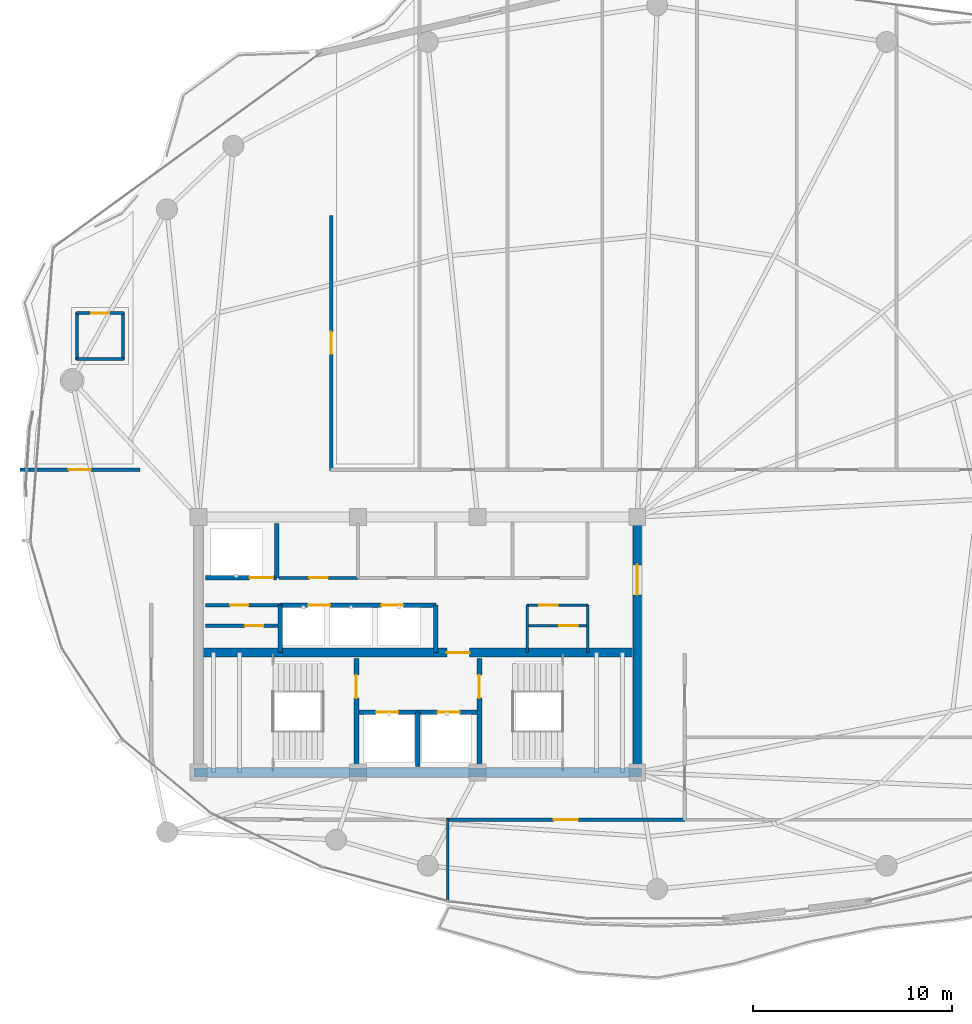
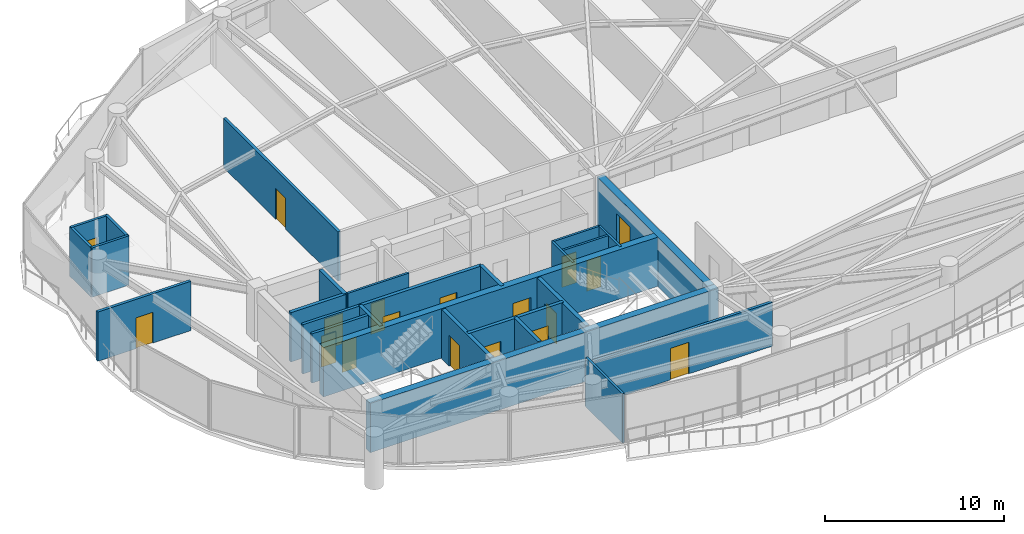
# One storey, part 25 of 30: 27 walls, 18 doors, 18 openings.
"""IFC4 building model written with IfcOpenShell, lengths in metres."""

from ifc_helpers import new_model, si_unit, direction, frame, frame_2d, origin, place, context, subcontext, project, spatial, rectangle, extrude, material, layer, layer_set, type_object, element, fill, save


model = new_model("IFC4")

# Units and contexts
model_context = context("Model", 3, precision=1e-05, world=origin(), true_north=direction((0.0, 1.0)))
body_context = subcontext(model_context, "Body", "Model", "MODEL_VIEW")
ifc_project = project(units=[si_unit("LENGTHUNIT", "METRE"), si_unit("AREAUNIT", "SQUARE_METRE"), si_unit("VOLUMEUNIT", "CUBIC_METRE"), si_unit("PLANEANGLEUNIT", "RADIAN"), si_unit("MASSUNIT", "GRAM", prefix="KILO")], contexts=[model_context])

# Site, building, storey
site_placement = place(None, origin())
site = spatial("IfcSite", under=ifc_project, at=site_placement, CompositionType="ELEMENT")
building_placement = place(site_placement, origin())
building = spatial("IfcBuilding", under=site, at=building_placement, Name="Kazevale Care Tower and Concert Hall", CompositionType="ELEMENT")
storey_placement = place(building_placement, frame((0.0, 0.0, 242.39990234375)))
storey = spatial("IfcBuildingStorey", under=building, at=storey_placement, Name="L64", CompositionType="ELEMENT", Elevation=242.39990234375)

# Wall, opening, door
ifc_material_1 = material(Name="Acoustic Gypsum on Steel Stud", Category="steel")
ifc_layer_1 = layer(ifc_material_1, 0.139892578125)
ifc_layer_set_1 = layer_set([ifc_layer_1], Name="Acoustic Gypsum on Steel Stud")
wall_type_1 = type_object("IfcWallType", Name="Acoustic Care & Suite Partition 140", PredefinedType="PARTITIONING", material=ifc_layer_set_1)
wall_1_placement = place(storey_placement, frame((26.050048828125, 33.35009765625, 0.0), z_axis=(0.0, 0.0, 1.0), x_axis=(1.0, 0.0, 0.0)))
wall_1 = element("IfcWall", 1, at=wall_1_placement, inside=storey, type_object=wall_type_1, Name="wall:L64:c_rpl1_s", PredefinedType="PARTITIONING", context=body_context, shape_type="SweptSolid", body=[
    extrude(rectangle(XDim=3.949951171875, YDim=0.139892578125, at=frame_2d((1.97509765625, 0.0))), origin(), (0.0, 0.0, 1.0), 3.360107421875),
])
opening_1_placement = place(wall_1_placement, frame((1.514892578125, 0.0, 0.0)))
opening_1 = element("IfcOpeningElement", 2, at=opening_1_placement, cuts=wall_1, Name="Opening ID-900", PredefinedType="OPENING", context=body_context, shape_type="SweptSolid", body=[
    extrude(rectangle(XDim=0.919921875, YDim=2.10009765625, at=frame_2d((0.4599609375, 1.050048828125))), frame((0.0, 0.079833984375, 0.0), z_axis=(0.0, -1.0, 0.0), x_axis=(1.0, 0.0, 0.0)), (0.0, 0.0, 1.0), 0.159912109375),
])
ifc_material_2 = material(Name="Oak Timber Fire Leaf", Category="wood")
door_type_1 = type_object("IfcDoorType", Name="Bathroom & Service Door 920x2100", OperationType="NOTDEFINED", PredefinedType="DOOR", material=ifc_material_2)
door_1_placement = place(opening_1_placement, origin())
door_1 = element("IfcDoor", 3, at=door_1_placement, inside=storey, type_object=door_type_1, Name="door:L64:d_rpl1", OperationType="SINGLE_SWING_LEFT", OverallHeight=2.10009765625, OverallWidth=0.919921875, PredefinedType="DOOR", context=body_context, shape_type="SweptSolid", body=[
    extrude(rectangle(XDim=0.919921875, YDim=2.10009765625, at=frame_2d((0.4599609375, 1.050048828125))), frame((0.0, 0.02490234375, 0.0), z_axis=(0.0, -1.0, 0.0), x_axis=(1.0, 0.0, 0.0)), (0.0, 0.0, 1.0), 0.050048828125),
])
fill(opening_1, door_1)

# Walls
for number, where, z_axis, x_axis, name in (
    (4, (38.47998046875, 29.6201171875, 0.0), (0.0, 0.0, 1.0), (0.0, 1.0, 0.0), "wall:L64:kc_ew"),
    (5, (41.52001953125, 29.6201171875, 0.0), (0.0, 0.0, 1.0), (0.0, 1.0, 0.0), "wall:L64:kc_ee"),
):
    element("IfcWall", number, at=place(storey_placement, frame(where, z_axis=z_axis, x_axis=x_axis)), inside=storey, type_object=wall_type_1, Name=name, PredefinedType="PARTITIONING", context=body_context, shape_type="SweptSolid", body=[
        extrude(rectangle(XDim=2.35986328125, YDim=0.139892578125, at=frame_2d((1.179931640625, 0.0))), origin(), (0.0, 0.0, 1.0), 3.360107421875),
    ])

# Wall, opening, door
wall_2_placement = place(storey_placement, frame((38.47998046875, 30.949951171875, 0.0), z_axis=(0.0, 0.0, 1.0), x_axis=(1.0, 0.0, 0.0)))
wall_2 = element("IfcWall", 6, at=wall_2_placement, inside=storey, type_object=wall_type_1, Name="wall:L64:kc_em", PredefinedType="PARTITIONING", context=body_context, shape_type="SweptSolid", body=[
    extrude(rectangle(XDim=3.0400390625, YDim=0.139892578125, at=frame_2d((1.52001953125, 0.0))), origin(), (0.0, 0.0, 1.0), 3.360107421875),
])
opening_2_placement = place(wall_2_placement, frame((1.616943359375, 0.0, 0.0)))
opening_2 = element("IfcOpeningElement", 7, at=opening_2_placement, cuts=wall_2, Name="Opening ID-900", PredefinedType="OPENING", context=body_context, shape_type="SweptSolid", body=[
    extrude(rectangle(XDim=0.919921875, YDim=2.10009765625, at=frame_2d((0.4599609375, 1.050048828125))), frame((0.0, 0.079833984375, 0.0), z_axis=(0.0, -1.0, 0.0), x_axis=(1.0, 0.0, 0.0)), (0.0, 0.0, 1.0), 0.159912109375),
])
door_2_placement = place(opening_2_placement, origin())
door_2 = element("IfcDoor", 8, at=door_2_placement, inside=storey, type_object=door_type_1, Name="door:L64:d_kceb", OperationType="SINGLE_SWING_RIGHT", OverallHeight=2.10009765625, OverallWidth=0.919921875, PredefinedType="DOOR", context=body_context, shape_type="SweptSolid", body=[
    extrude(rectangle(XDim=0.919921875, YDim=2.10009765625, at=frame_2d((0.4599609375, 1.050048828125))), frame((0.0, 0.02490234375, 0.0), z_axis=(0.0, -1.0, 0.0), x_axis=(1.0, 0.0, 0.0)), (0.0, 0.0, 1.0), 0.050048828125),
])
fill(opening_2, door_2)

wall_3_placement = place(storey_placement, frame((38.47998046875, 31.97998046875, 0.0), z_axis=(0.0, 0.0, 1.0), x_axis=(1.0, 0.0, 0.0)))
wall_3 = element("IfcWall", 9, at=wall_3_placement, inside=storey, type_object=wall_type_1, Name="wall:L64:kc_en", PredefinedType="PARTITIONING", context=body_context, shape_type="SweptSolid", body=[
    extrude(rectangle(XDim=3.0400390625, YDim=0.139892578125, at=frame_2d((1.52001953125, 0.0))), origin(), (0.0, 0.0, 1.0), 3.360107421875),
])
opening_3_placement = place(wall_3_placement, frame((0.614013671875, 0.0, 0.0)))
opening_3 = element("IfcOpeningElement", 10, at=opening_3_placement, cuts=wall_3, Name="Opening ID-900", PredefinedType="OPENING", context=body_context, shape_type="SweptSolid", body=[
    extrude(rectangle(XDim=0.919921875, YDim=2.10009765625, at=frame_2d((0.4599609375, 1.050048828125))), frame((0.0, 0.079833984375, 0.0), z_axis=(0.0, -1.0, 0.0), x_axis=(1.0, 0.0, 0.0)), (0.0, 0.0, 1.0), 0.159912109375),
])
door_3_placement = place(opening_3_placement, origin())
door_3 = element("IfcDoor", 11, at=door_3_placement, inside=storey, type_object=door_type_1, Name="door:L64:d_kcet", OperationType="SINGLE_SWING_LEFT", OverallHeight=2.10009765625, OverallWidth=0.919921875, PredefinedType="DOOR", context=body_context, shape_type="SweptSolid", body=[
    extrude(rectangle(XDim=0.919921875, YDim=2.10009765625, at=frame_2d((0.4599609375, 1.050048828125))), frame((0.0, 0.02490234375, 0.0), z_axis=(0.0, -1.0, 0.0), x_axis=(1.0, 0.0, 0.0)), (0.0, 0.0, 1.0), 0.050048828125),
])
fill(opening_3, door_3)

# Walls
wall_4_placement = place(storey_placement, frame((34.5, 21.2548828125, 0.0), z_axis=(0.0, 0.0, 1.0), x_axis=(0.0, -1.0, 0.0)))
element("IfcWall", 12, at=wall_4_placement, inside=storey, type_object=wall_type_1, Name="wall:L64:auto_024", PredefinedType="PARTITIONING", context=body_context, shape_type="SweptSolid", body=[
    extrude(rectangle(XDim=4.103515625, YDim=0.139892578125, at=frame_2d((2.0517578125, 0.0))), origin(), (0.0, 0.0, 1.0), 3.360107421875),
])
ifc_material_3 = material(Name="Concrete C50", Category="concrete")
ifc_layer_2 = layer(ifc_material_3, 0.449951171875)
ifc_layer_set_2 = layer_set([ifc_layer_2], Name="Concrete C50")
wall_type_2 = type_object("IfcWallType", Name="Core Shear Wall 450 C50", PredefinedType="SHEAR", material=ifc_layer_set_2)
wall_5_placement = place(storey_placement, frame((21.77490234375, 23.60009765625, 0.0), z_axis=(0.0, 0.0, 1.0), x_axis=(1.0, 0.0, 0.0)))
element("IfcWall", 13, at=wall_5_placement, inside=storey, type_object=wall_type_2, Name="wall:L64:core:S", PredefinedType="SHEAR", context=body_context, shape_type="SweptSolid", body=[
    extrude(rectangle(XDim=22.4501953125, YDim=0.449951171875, at=frame_2d((11.22509765625, 0.0))), origin(), (0.0, 0.0, 1.0), 3.360107421875),
])

# Wall, opening, door
wall_6_placement = place(storey_placement, frame((44.0, 23.824951171875, 0.0), z_axis=(0.0, 0.0, 1.0), x_axis=(0.0, 1.0, 0.0)))
wall_6 = element("IfcWall", 14, at=wall_6_placement, inside=storey, type_object=wall_type_2, Name="wall:L64:core:E", PredefinedType="SHEAR", context=body_context, shape_type="SweptSolid", body=[
    extrude(rectangle(XDim=12.35009765625, YDim=0.449951171875, at=frame_2d((6.175048828125, 0.0))), origin(), (0.0, 0.0, 1.0), 3.360107421875),
])
opening_4_placement = place(wall_6_placement, frame((8.675048828125, 0.0, 0.0)))
opening_4 = element("IfcOpeningElement", 15, at=opening_4_placement, cuts=wall_6, Name="Opening FD-60D", PredefinedType="OPENING", context=body_context, shape_type="SweptSolid", body=[
    extrude(rectangle(XDim=1.5, YDim=2.14990234375, at=frame_2d((0.75, 1.074951171875))), frame((0.0, 0.23486328125, 0.0), z_axis=(0.0, -1.0, 0.0), x_axis=(1.0, 0.0, 0.0)), (0.0, 0.0, 1.0), 0.469970703125),
])
door_type_2 = type_object("IfcDoorType", Name="Double Lobby & Auditorium Fire Door 1500x2150", OperationType="NOTDEFINED", PredefinedType="DOOR", material=ifc_material_2)
door_4_placement = place(opening_4_placement, origin())
door_4 = element("IfcDoor", 16, at=door_4_placement, inside=storey, type_object=door_type_2, Name="door:L64:core_east_out", OperationType="DOUBLE_DOOR_SINGLE_SWING", OverallHeight=2.14990234375, OverallWidth=1.5, PredefinedType="DOOR", context=body_context, shape_type="SweptSolid", body=[
    extrude(rectangle(XDim=1.5, YDim=2.14990234375, at=frame_2d((0.75, 1.074951171875))), frame((0.0, 0.02490234375, 0.0), z_axis=(0.0, -1.0, 0.0), x_axis=(1.0, 0.0, 0.0)), (0.0, 0.0, 1.0), 0.050048828125),
])
fill(opening_4, door_4)

wall_7_placement = place(storey_placement, frame((22.22509765625, 29.60009765625, 0.0), z_axis=(0.0, 0.0, 1.0), x_axis=(1.0, 0.0, 0.0)))
wall_7 = element("IfcWall", 17, at=wall_7_placement, inside=storey, type_object=wall_type_2, Name="wall:L64:core:M", PredefinedType="SHEAR", context=body_context, shape_type="SweptSolid", body=[
    extrude(rectangle(XDim=21.5498046875, YDim=0.449951171875, at=frame_2d((10.77490234375, 0.0))), origin(), (0.0, 0.0, 1.0), 3.360107421875),
])
opening_5_placement = place(wall_7_placement, frame((12.22509765625, 0.0, 0.0)))
opening_5 = element("IfcOpeningElement", 18, at=opening_5_placement, cuts=wall_7, Name="Opening FD-90", PredefinedType="OPENING", context=body_context, shape_type="SweptSolid", body=[
    extrude(rectangle(XDim=1.14990234375, YDim=2.10009765625, at=frame_2d((0.574951171875, 1.050048828125))), frame((0.0, 0.23486328125, 0.0), z_axis=(0.0, -1.0, 0.0), x_axis=(1.0, 0.0, 0.0)), (0.0, 0.0, 1.0), 0.469970703125),
])
ifc_material_4 = material(Name="Steel ASTM A572 Gr 50", Category="steel")
door_type_3 = type_object("IfcDoorType", Name="Pressurized Stair & Lobby Fire Door 1150x2100", OperationType="NOTDEFINED", PredefinedType="DOOR", material=ifc_material_4)
door_5_placement = place(opening_5_placement, origin())
door_5 = element("IfcDoor", 19, at=door_5_placement, inside=storey, type_object=door_type_3, Name="door:L64:ff_to_pax", OperationType="SINGLE_SWING_LEFT", OverallHeight=2.10009765625, OverallWidth=1.14990234375, PredefinedType="DOOR", context=body_context, shape_type="SweptSolid", body=[
    extrude(rectangle(XDim=1.14990234375, YDim=2.10009765625, at=frame_2d((0.574951171875, 1.050048828125))), frame((0.0, 0.02490234375, 0.0), z_axis=(0.0, -1.0, 0.0), x_axis=(1.0, 0.0, 0.0)), (0.0, 0.0, 1.0), 0.050048828125),
])
fill(opening_5, door_5)

# Wall, openings, doors
ifc_material_5 = material(Name="Concrete C40", Category="concrete")
ifc_layer_3 = layer(ifc_material_5, 0.219970703125)
ifc_layer_set_3 = layer_set([ifc_layer_3], Name="Concrete C40")
wall_type_3 = type_object("IfcWallType", Name="Elevator Hoistway Shaft Wall 220", PredefinedType="SOLIDWALL", material=ifc_layer_set_3)
wall_8_placement = place(storey_placement, frame((29.919921875, 26.6201171875, 0.0), z_axis=(0.0, 0.0, 1.0), x_axis=(1.0, 0.0, 0.0)))
wall_8 = element("IfcWall", 20, at=wall_8_placement, inside=storey, type_object=wall_type_3, Name="wall:L64:c_ffl_n", PredefinedType="SOLIDWALL", context=body_context, shape_type="SweptSolid", body=[
    extrude(rectangle(XDim=6.16015625, YDim=0.219970703125, at=frame_2d((3.080078125, 0.0))), origin(), (0.0, 0.0, 1.0), 3.360107421875),
])
opening_6_placement = place(wall_8_placement, frame((0.989990234375, 0.0, 0.0)))
opening_6 = element("IfcOpeningElement", 21, at=opening_6_placement, cuts=wall_8, Name="Opening LD-FF", PredefinedType="OPENING", context=body_context, shape_type="SweptSolid", body=[
    extrude(rectangle(XDim=1.10009765625, YDim=2.10009765625, at=frame_2d((0.550048828125, 1.050048828125))), frame((0.0, 0.119873046875, 0.0), z_axis=(0.0, -1.0, 0.0), x_axis=(1.0, 0.0, 0.0)), (0.0, 0.0, 1.0), 0.239990234375),
])
opening_7_placement = place(wall_8_placement, frame((4.070068359375, 0.0, 0.0)))
opening_7 = element("IfcOpeningElement", 22, at=opening_7_placement, cuts=wall_8, Name="Opening LD-FF", PredefinedType="OPENING", context=body_context, shape_type="SweptSolid", body=[
    extrude(rectangle(XDim=1.10009765625, YDim=2.10009765625, at=frame_2d((0.550048828125, 1.050048828125))), frame((0.0, 0.119873046875, 0.0), z_axis=(0.0, -1.0, 0.0), x_axis=(1.0, 0.0, 0.0)), (0.0, 0.0, 1.0), 0.239990234375),
])
ifc_material_6 = material(Name="Stainless Steel 316", Category="steel")
door_type_4 = type_object("IfcDoorType", Name="Emergency Lift Sliding Landing Door 1100x2100", OperationType="NOTDEFINED", PredefinedType="DOOR", material=ifc_material_6)
door_6_placement = place(opening_6_placement, origin())
door_6 = element("IfcDoor", 23, at=door_6_placement, inside=storey, type_object=door_type_4, Name="door:L64:ld_ffl1", OperationType="SLIDING_TO_LEFT", OverallHeight=2.10009765625, OverallWidth=1.10009765625, PredefinedType="DOOR", context=body_context, shape_type="SweptSolid", body=[
    extrude(rectangle(XDim=1.10009765625, YDim=2.10009765625, at=frame_2d((0.550048828125, 1.050048828125))), frame((0.0, 0.02490234375, 0.0), z_axis=(0.0, -1.0, 0.0), x_axis=(1.0, 0.0, 0.0)), (0.0, 0.0, 1.0), 0.050048828125),
])
fill(opening_6, door_6)
door_7_placement = place(opening_7_placement, origin())
door_7 = element("IfcDoor", 24, at=door_7_placement, inside=storey, type_object=door_type_4, Name="door:L64:ld_ffl2", OperationType="SLIDING_TO_RIGHT", OverallHeight=2.10009765625, OverallWidth=1.10009765625, PredefinedType="DOOR", context=body_context, shape_type="SweptSolid", body=[
    extrude(rectangle(XDim=1.10009765625, YDim=2.10009765625, at=frame_2d((0.550048828125, 1.050048828125))), frame((0.0, 0.02490234375, 0.0), z_axis=(0.0, -1.0, 0.0), x_axis=(1.0, 0.0, 0.0)), (0.0, 0.0, 1.0), 0.050048828125),
])
fill(opening_7, door_7)

# Walls
wall_9_placement = place(storey_placement, frame((33.0, 23.89990234375, 0.0), z_axis=(0.0, 0.0, 1.0), x_axis=(0.0, 1.0, 0.0)))
element("IfcWall", 25, at=wall_9_placement, inside=storey, type_object=wall_type_3, Name="wall:L64:c_ffl_m", PredefinedType="SOLIDWALL", context=body_context, shape_type="SweptSolid", body=[
    extrude(rectangle(XDim=2.72021484375, YDim=0.219970703125, at=frame_2d((1.360107421875, 0.0))), origin(), (0.0, 0.0, 1.0), 3.360107421875),
])
wall_10_placement = place(storey_placement, frame((25.919921875, 33.35009765625, 0.0), z_axis=(0.0, 0.0, 1.0), x_axis=(0.0, 1.0, 0.0)))
element("IfcWall", 26, at=wall_10_placement, inside=storey, type_object=wall_type_3, Name="wall:L64:c_svl_e", PredefinedType="SOLIDWALL", context=body_context, shape_type="SweptSolid", body=[
    extrude(rectangle(XDim=2.72998046875, YDim=0.219970703125, at=frame_2d((1.364990234375, 0.0))), origin(), (0.0, 0.0, 1.0), 3.360107421875),
])

# Wall, opening, door
wall_11_placement = place(storey_placement, frame((22.35009765625, 33.35009765625, 0.0), z_axis=(0.0, 0.0, 1.0), x_axis=(1.0, 0.0, 0.0)))
wall_11 = element("IfcWall", 27, at=wall_11_placement, inside=storey, type_object=wall_type_3, Name="wall:L64:c_svl_s", PredefinedType="SOLIDWALL", context=body_context, shape_type="SweptSolid", body=[
    extrude(rectangle(XDim=3.56982421875, YDim=0.219970703125, at=frame_2d((1.784912109375, 0.0))), origin(), (0.0, 0.0, 1.0), 3.360107421875),
])
opening_8_placement = place(wall_11_placement, frame((2.212890625, 0.0, 0.0)))
opening_8 = element("IfcOpeningElement", 28, at=opening_8_placement, cuts=wall_11, Name="Opening LD-SV", PredefinedType="OPENING", context=body_context, shape_type="SweptSolid", body=[
    extrude(rectangle(XDim=1.199951171875, YDim=2.10009765625, at=frame_2d((0.60009765625, 1.050048828125))), frame((0.0, 0.119873046875, 0.0), z_axis=(0.0, -1.0, 0.0), x_axis=(1.0, 0.0, 0.0)), (0.0, 0.0, 1.0), 0.239990234375),
])
door_type_5 = type_object("IfcDoorType", Name="Service Lift Sliding Landing Door 1200x2100", OperationType="NOTDEFINED", PredefinedType="DOOR", material=ifc_material_6)
door_8_placement = place(opening_8_placement, origin())
door_8 = element("IfcDoor", 29, at=door_8_placement, inside=storey, type_object=door_type_5, Name="door:L64:ld_svl1", OperationType="SLIDING_TO_LEFT", OverallHeight=2.10009765625, OverallWidth=1.199951171875, PredefinedType="DOOR", context=body_context, shape_type="SweptSolid", body=[
    extrude(rectangle(XDim=1.199951171875, YDim=2.10009765625, at=frame_2d((0.60009765625, 1.050048828125))), frame((0.0, 0.02490234375, 0.0), z_axis=(0.0, -1.0, 0.0), x_axis=(1.0, 0.0, 0.0)), (0.0, 0.0, 1.0), 0.050048828125),
])
fill(opening_8, door_8)

# Wall
wall_12_placement = place(storey_placement, frame((26.10009765625, 29.6201171875, 0.0), z_axis=(0.0, 0.0, 1.0), x_axis=(0.0, 1.0, 0.0)))
element("IfcWall", 30, at=wall_12_placement, inside=storey, type_object=wall_type_3, Name="wall:L64:c_ph_w", PredefinedType="SOLIDWALL", context=body_context, shape_type="SweptSolid", body=[
    extrude(rectangle(XDim=2.35986328125, YDim=0.219970703125, at=frame_2d((1.179931640625, 0.0))), origin(), (0.0, 0.0, 1.0), 3.360107421875),
])

# Wall, openings, doors
wall_13_placement = place(storey_placement, frame((26.10009765625, 31.97998046875, 0.0), z_axis=(0.0, 0.0, 1.0), x_axis=(1.0, 0.0, 0.0)))
wall_13 = element("IfcWall", 31, at=wall_13_placement, inside=storey, type_object=wall_type_3, Name="wall:L64:c_ph_n", PredefinedType="SOLIDWALL", context=body_context, shape_type="SweptSolid", body=[
    extrude(rectangle(XDim=7.7998046875, YDim=0.219970703125, at=frame_2d((3.89990234375, 0.0))), origin(), (0.0, 0.0, 1.0), 3.360107421875),
])
opening_9_placement = place(wall_13_placement, frame((1.39990234375, 0.0, 0.0)))
opening_9 = element("IfcOpeningElement", 32, at=opening_9_placement, cuts=wall_13, Name="Opening LD-PAX", PredefinedType="OPENING", context=body_context, shape_type="SweptSolid", body=[
    extrude(rectangle(XDim=1.10009765625, YDim=2.10009765625, at=frame_2d((0.550048828125, 1.050048828125))), frame((0.0, 0.119873046875, 0.0), z_axis=(0.0, -1.0, 0.0), x_axis=(1.0, 0.0, 0.0)), (0.0, 0.0, 1.0), 0.239990234375),
])
opening_10_placement = place(wall_13_placement, frame((5.06591796875, 0.0, 0.0)))
opening_10 = element("IfcOpeningElement", 33, at=opening_10_placement, cuts=wall_13, Name="Opening LD-PAX", PredefinedType="OPENING", context=body_context, shape_type="SweptSolid", body=[
    extrude(rectangle(XDim=1.10009765625, YDim=2.10009765625, at=frame_2d((0.550048828125, 1.050048828125))), frame((0.0, 0.119873046875, 0.0), z_axis=(0.0, -1.0, 0.0), x_axis=(1.0, 0.0, 0.0)), (0.0, 0.0, 1.0), 0.239990234375),
])
door_type_6 = type_object("IfcDoorType", Name="Passenger Lift Sliding Landing Door 1100x2100", OperationType="NOTDEFINED", PredefinedType="DOOR", material=ifc_material_6)
door_9_placement = place(opening_9_placement, origin())
door_9 = element("IfcDoor", 34, at=door_9_placement, inside=storey, type_object=door_type_6, Name="door:L64:ld_ph1", OperationType="SLIDING_TO_LEFT", OverallHeight=2.10009765625, OverallWidth=1.10009765625, PredefinedType="DOOR", context=body_context, shape_type="SweptSolid", body=[
    extrude(rectangle(XDim=1.10009765625, YDim=2.10009765625, at=frame_2d((0.550048828125, 1.050048828125))), frame((0.0, 0.02490234375, 0.0), z_axis=(0.0, -1.0, 0.0), x_axis=(1.0, 0.0, 0.0)), (0.0, 0.0, 1.0), 0.050048828125),
])
fill(opening_9, door_9)
door_10_placement = place(opening_10_placement, origin())
door_10 = element("IfcDoor", 35, at=door_10_placement, inside=storey, type_object=door_type_6, Name="door:L64:ld_ph2", OperationType="SLIDING_TO_RIGHT", OverallHeight=2.10009765625, OverallWidth=1.10009765625, PredefinedType="DOOR", context=body_context, shape_type="SweptSolid", body=[
    extrude(rectangle(XDim=1.10009765625, YDim=2.10009765625, at=frame_2d((0.550048828125, 1.050048828125))), frame((0.0, 0.02490234375, 0.0), z_axis=(0.0, -1.0, 0.0), x_axis=(1.0, 0.0, 0.0)), (0.0, 0.0, 1.0), 0.050048828125),
])
fill(opening_10, door_10)

# Wall
wall_14_placement = place(storey_placement, frame((33.89990234375, 29.6201171875, 0.0), z_axis=(0.0, 0.0, 1.0), x_axis=(0.0, 1.0, 0.0)))
element("IfcWall", 36, at=wall_14_placement, inside=storey, type_object=wall_type_3, Name="wall:L64:c_ph_e", PredefinedType="SOLIDWALL", context=body_context, shape_type="SweptSolid", body=[
    extrude(rectangle(XDim=2.35986328125, YDim=0.219970703125, at=frame_2d((1.179931640625, 0.0))), origin(), (0.0, 0.0, 1.0), 3.360107421875),
])

# Wall, opening, door
ifc_material_7 = material(Name="Concrete C40 and Acoustic Gypsum", Category="concrete")
ifc_layer_4 = layer(ifc_material_7, 0.179931640625)
ifc_layer_set_4 = layer_set([ifc_layer_4], Name="Concrete C40 and Acoustic Gypsum")
wall_type_4 = type_object("IfcWallType", Name="Fire-Rated Corridor & Party Wall 180", PredefinedType="PARTITIONING", material=ifc_layer_set_4)
wall_15_placement = place(storey_placement, frame((22.35009765625, 30.949951171875, 0.0), z_axis=(0.0, 0.0, 1.0), x_axis=(1.0, 0.0, 0.0)))
wall_15 = element("IfcWall", 37, at=wall_15_placement, inside=storey, type_object=wall_type_4, Name="wall:L64:kc_wm", PredefinedType="PARTITIONING", context=body_context, shape_type="SweptSolid", body=[
    extrude(rectangle(XDim=3.75, YDim=0.179931640625, at=frame_2d((1.875, 0.0))), origin(), (0.0, 0.0, 1.0), 3.360107421875),
])
opening_11_placement = place(wall_15_placement, frame((1.988037109375, 0.0, 0.0)))
opening_11 = element("IfcOpeningElement", 38, at=opening_11_placement, cuts=wall_15, Name="Opening ID-900", PredefinedType="OPENING", context=body_context, shape_type="SweptSolid", body=[
    extrude(rectangle(XDim=0.919921875, YDim=2.10009765625, at=frame_2d((0.4599609375, 1.050048828125))), frame((0.0, 0.099853515625, 0.0), z_axis=(0.0, -1.0, 0.0), x_axis=(1.0, 0.0, 0.0)), (0.0, 0.0, 1.0), 0.199951171875),
])
door_11_placement = place(opening_11_placement, origin())
door_11 = element("IfcDoor", 39, at=door_11_placement, inside=storey, type_object=door_type_1, Name="door:L64:d_kcwb", OperationType="SINGLE_SWING_RIGHT", OverallHeight=2.10009765625, OverallWidth=0.919921875, PredefinedType="DOOR", context=body_context, shape_type="SweptSolid", body=[
    extrude(rectangle(XDim=0.919921875, YDim=2.10009765625, at=frame_2d((0.4599609375, 1.050048828125))), frame((0.0, 0.02490234375, 0.0), z_axis=(0.0, -1.0, 0.0), x_axis=(1.0, 0.0, 0.0)), (0.0, 0.0, 1.0), 0.050048828125),
])
fill(opening_11, door_11)

wall_16_placement = place(storey_placement, frame((22.35009765625, 31.97998046875, 0.0), z_axis=(0.0, 0.0, 1.0), x_axis=(1.0, 0.0, 0.0)))
wall_16 = element("IfcWall", 40, at=wall_16_placement, inside=storey, type_object=wall_type_4, Name="wall:L64:kc_wn", PredefinedType="PARTITIONING", context=body_context, shape_type="SweptSolid", body=[
    extrude(rectangle(XDim=3.75, YDim=0.179931640625, at=frame_2d((1.875, 0.0))), origin(), (0.0, 0.0, 1.0), 3.360107421875),
])
opening_12_placement = place(wall_16_placement, frame((1.238037109375, 0.0, 0.0)))
opening_12 = element("IfcOpeningElement", 41, at=opening_12_placement, cuts=wall_16, Name="Opening ID-900", PredefinedType="OPENING", context=body_context, shape_type="SweptSolid", body=[
    extrude(rectangle(XDim=0.919921875, YDim=2.10009765625, at=frame_2d((0.4599609375, 1.050048828125))), frame((0.0, 0.099853515625, 0.0), z_axis=(0.0, -1.0, 0.0), x_axis=(1.0, 0.0, 0.0)), (0.0, 0.0, 1.0), 0.199951171875),
])
door_12_placement = place(opening_12_placement, origin())
door_12 = element("IfcDoor", 42, at=door_12_placement, inside=storey, type_object=door_type_1, Name="door:L64:d_kcwt", OperationType="SINGLE_SWING_LEFT", OverallHeight=2.10009765625, OverallWidth=0.919921875, PredefinedType="DOOR", context=body_context, shape_type="SweptSolid", body=[
    extrude(rectangle(XDim=0.919921875, YDim=2.10009765625, at=frame_2d((0.4599609375, 1.050048828125))), frame((0.0, 0.02490234375, 0.0), z_axis=(0.0, -1.0, 0.0), x_axis=(1.0, 0.0, 0.0)), (0.0, 0.0, 1.0), 0.050048828125),
])
fill(opening_12, door_12)

wall_17_placement = place(storey_placement, frame((13.053955078125, 38.77490234375, 0.0), z_axis=(0.0, 0.0, 1.0), x_axis=(1.0, 0.0, 0.0)))
wall_17 = element("IfcWall", 43, at=wall_17_placement, inside=storey, type_object=wall_type_4, Name="wall:L64:auto_001", PredefinedType="PARTITIONING", context=body_context, shape_type="SweptSolid", body=[
    extrude(rectangle(XDim=6.010986328125, YDim=0.179931640625, at=frame_2d((3.00537109375, 0.0))), origin(), (0.0, 0.0, 1.0), 3.360107421875),
])
opening_13_placement = place(wall_17_placement, frame((2.455078125, 0.0, 0.0)))
opening_13 = element("IfcOpeningElement", 44, at=opening_13_placement, cuts=wall_17, Name="Opening ID-1100", PredefinedType="OPENING", context=body_context, shape_type="SweptSolid", body=[
    extrude(rectangle(XDim=1.10009765625, YDim=2.10009765625, at=frame_2d((0.550048828125, 1.050048828125))), frame((0.0, 0.099853515625, 0.0), z_axis=(0.0, -1.0, 0.0), x_axis=(1.0, 0.0, 0.0)), (0.0, 0.0, 1.0), 0.199951171875),
])
door_type_7 = type_object("IfcDoorType", Name="Care Bedroom Accessible Door 1100x2100", OperationType="NOTDEFINED", PredefinedType="DOOR", material=ifc_material_2)
door_13_placement = place(opening_13_placement, origin())
door_13 = element("IfcDoor", 45, at=door_13_placement, inside=storey, type_object=door_type_7, Name="door:L64:ad_001", OperationType="SINGLE_SWING_LEFT", OverallHeight=2.10009765625, OverallWidth=1.10009765625, PredefinedType="DOOR", context=body_context, shape_type="SweptSolid", body=[
    extrude(rectangle(XDim=1.10009765625, YDim=2.10009765625, at=frame_2d((0.550048828125, 1.050048828125))), frame((0.0, 0.02490234375, 0.0), z_axis=(0.0, -1.0, 0.0), x_axis=(1.0, 0.0, 0.0)), (0.0, 0.0, 1.0), 0.050048828125),
])
fill(opening_13, door_13)

wall_18_placement = place(storey_placement, frame((28.64990234375, 51.530029296875, 0.0), z_axis=(0.0, 0.0, 1.0), x_axis=(0.0, -1.0, 0.0)))
wall_18 = element("IfcWall", 46, at=wall_18_placement, inside=storey, type_object=wall_type_4, Name="wall:L64:auto_002", PredefinedType="PARTITIONING", context=body_context, shape_type="SweptSolid", body=[
    extrude(rectangle(XDim=12.784912109375, YDim=0.179931640625, at=frame_2d((6.392578125, 0.0))), origin(), (0.0, 0.0, 1.0), 3.360107421875),
])
opening_14_placement = place(wall_18_placement, frame((5.843017578125, 0.0, 0.0)))
opening_14 = element("IfcOpeningElement", 47, at=opening_14_placement, cuts=wall_18, Name="Opening ID-1100", PredefinedType="OPENING", context=body_context, shape_type="SweptSolid", body=[
    extrude(rectangle(XDim=1.10009765625, YDim=2.10009765625, at=frame_2d((0.550048828125, 1.050048828125))), frame((0.0, 0.099853515625, 0.0), z_axis=(0.0, -1.0, 0.0), x_axis=(1.0, 0.0, 0.0)), (0.0, 0.0, 1.0), 0.199951171875),
])
door_14_placement = place(opening_14_placement, origin())
door_14 = element("IfcDoor", 48, at=door_14_placement, inside=storey, type_object=door_type_7, Name="door:L64:ad_002", OperationType="SINGLE_SWING_LEFT", OverallHeight=2.10009765625, OverallWidth=1.10009765625, PredefinedType="DOOR", context=body_context, shape_type="SweptSolid", body=[
    extrude(rectangle(XDim=1.10009765625, YDim=2.10009765625, at=frame_2d((0.550048828125, 1.050048828125))), frame((0.0, 0.02490234375, 0.0), z_axis=(0.0, -1.0, 0.0), x_axis=(1.0, 0.0, 0.0)), (0.0, 0.0, 1.0), 0.050048828125),
])
fill(opening_14, door_14)

wall_19_placement = place(storey_placement, frame((46.405029296875, 21.22509765625, 0.0), z_axis=(0.0, 0.0, 1.0), x_axis=(-1.0, 0.0, 0.0)))
wall_19 = element("IfcWall", 49, at=wall_19_placement, inside=storey, type_object=wall_type_4, Name="wall:L64:auto_013", PredefinedType="PARTITIONING", context=body_context, shape_type="SweptSolid", body=[
    extrude(rectangle(XDim=11.969970703125, YDim=0.179931640625, at=frame_2d((5.98486328125, 0.0))), origin(), (0.0, 0.0, 1.0), 2.99609375),
])
opening_15_placement = place(wall_19_placement, frame((5.385009765625, 0.0, 0.0)))
opening_15 = element("IfcOpeningElement", 50, at=opening_15_placement, cuts=wall_19, Name="Opening ID-1200", PredefinedType="OPENING", context=body_context, shape_type="SweptSolid", body=[
    extrude(rectangle(XDim=1.199951171875, YDim=2.14990234375, at=frame_2d((0.60009765625, 1.074951171875))), frame((0.0, 0.099853515625, 0.0), z_axis=(0.0, -1.0, 0.0), x_axis=(1.0, 0.0, 0.0)), (0.0, 0.0, 1.0), 0.199951171875),
])
door_type_8 = type_object("IfcDoorType", Name="Clinical & Therapy Door 1200x2150", OperationType="NOTDEFINED", PredefinedType="DOOR", material=ifc_material_2)
door_15_placement = place(opening_15_placement, origin())
door_15 = element("IfcDoor", 51, at=door_15_placement, inside=storey, type_object=door_type_8, Name="door:L64:ad_013", OperationType="SINGLE_SWING_LEFT", OverallHeight=2.14990234375, OverallWidth=1.199951171875, PredefinedType="DOOR", context=body_context, shape_type="SweptSolid", body=[
    extrude(rectangle(XDim=1.199951171875, YDim=2.14990234375, at=frame_2d((0.60009765625, 1.074951171875))), frame((0.0, 0.02490234375, 0.0), z_axis=(0.0, -1.0, 0.0), x_axis=(1.0, 0.0, 0.0)), (0.0, 0.0, 1.0), 0.050048828125),
])
fill(opening_15, door_15)

# Wall
ifc_layer_5 = layer(ifc_material_1, 0.159912109375)
ifc_layer_set_5 = layer_set([ifc_layer_5], Name="Acoustic Gypsum on Steel Stud")
wall_type_5 = type_object("IfcWallType", Name="Moisture-Resistant Bathroom Plumbing Wall 160", PredefinedType="PLUMBINGWALL", material=ifc_layer_set_5)
wall_20_placement = place(storey_placement, frame((15.8779296875, 44.324951171875, 0.0), z_axis=(0.0, 0.0, 1.0), x_axis=(1.0, 0.0, 0.0)))
element("IfcWall", 52, at=wall_20_placement, inside=storey, type_object=wall_type_5, Name="wall:L64:nb1_ens_ws", PredefinedType="PLUMBINGWALL", context=body_context, shape_type="SweptSolid", body=[
    extrude(rectangle(XDim=2.380126953125, YDim=0.159912109375, at=frame_2d((1.18994140625, 0.0))), origin(), (0.0, 0.0, 1.0), 3.360107421875),
])

# Wall, opening, door
wall_21_placement = place(storey_placement, frame((15.8779296875, 46.625, 0.0), z_axis=(0.0, 0.0, 1.0), x_axis=(1.0, 0.0, 0.0)))
wall_21 = element("IfcWall", 53, at=wall_21_placement, inside=storey, type_object=wall_type_5, Name="wall:L64:nb1_ens_wn", PredefinedType="PLUMBINGWALL", context=body_context, shape_type="SweptSolid", body=[
    extrude(rectangle(XDim=2.380126953125, YDim=0.159912109375, at=frame_2d((1.18994140625, 0.0))), origin(), (0.0, 0.0, 1.0), 3.360107421875),
])
opening_16_placement = place(wall_21_placement, frame((0.739990234375, 0.0, 0.0)))
opening_16 = element("IfcOpeningElement", 54, at=opening_16_placement, cuts=wall_21, Name="Opening ID-900", PredefinedType="OPENING", context=body_context, shape_type="SweptSolid", body=[
    extrude(rectangle(XDim=0.919921875, YDim=2.10009765625, at=frame_2d((0.4599609375, 1.050048828125))), frame((0.0, 0.08984375, 0.0), z_axis=(0.0, -1.0, 0.0), x_axis=(1.0, 0.0, 0.0)), (0.0, 0.0, 1.0), 0.179931640625),
])
door_16_placement = place(opening_16_placement, origin())
door_16 = element("IfcDoor", 55, at=door_16_placement, inside=storey, type_object=door_type_1, Name="door:L64:nb1_ens_d", OperationType="SINGLE_SWING_RIGHT", OverallHeight=2.10009765625, OverallWidth=0.919921875, PredefinedType="DOOR", context=body_context, shape_type="SweptSolid", body=[
    extrude(rectangle(XDim=0.919921875, YDim=2.10009765625, at=frame_2d((0.4599609375, 1.050048828125))), frame((0.0, 0.02490234375, 0.0), z_axis=(0.0, -1.0, 0.0), x_axis=(1.0, 0.0, 0.0)), (0.0, 0.0, 1.0), 0.050048828125),
])
fill(opening_16, door_16)

# Walls
for number, where, z_axis, x_axis, name in (
    (56, (15.91796875, 44.284912109375, 0.0), (0.0, 0.0, 1.0), (0.0, 1.0, 0.0), "wall:L64:nb1_ens_ww"),
    (57, (18.218017578125, 44.284912109375, 0.0), (0.0, 0.0, 1.0), (0.0, 1.0, 0.0), "wall:L64:nb1_ens_we"),
):
    element("IfcWall", number, at=place(storey_placement, frame(where, z_axis=z_axis, x_axis=x_axis)), inside=storey, type_object=wall_type_5, Name=name, PredefinedType="PLUMBINGWALL", context=body_context, shape_type="SweptSolid", body=[
        extrude(rectangle(XDim=2.380126953125, YDim=0.159912109375, at=frame_2d((1.18994140625, 0.0))), origin(), (0.0, 0.0, 1.0), 3.360107421875),
    ])

# Wall, opening, door
ifc_layer_6 = layer(ifc_material_5, 0.25)
ifc_layer_set_6 = layer_set([ifc_layer_6], Name="Concrete C40")
wall_type_6 = type_object("IfcWallType", Name="Pressurized Stair Shaft Wall 250", PredefinedType="SOLIDWALL", material=ifc_layer_set_6)
wall_22_placement = place(storey_placement, frame((29.919921875, 23.89990234375, 0.0), z_axis=(0.0, 0.0, 1.0), x_axis=(0.0, 1.0, 0.0)))
wall_22 = element("IfcWall", 58, at=wall_22_placement, inside=storey, type_object=wall_type_6, Name="wall:L64:c_st1_e", PredefinedType="SOLIDWALL", context=body_context, shape_type="SweptSolid", body=[
    extrude(rectangle(XDim=5.400146484375, YDim=0.25, at=frame_2d((2.7001953125, 0.0))), origin(), (0.0, 0.0, 1.0), 3.360107421875),
])
opening_17_placement = place(wall_22_placement, frame((3.4208984375, 0.0, 0.0)))
opening_17 = element("IfcOpeningElement", 59, at=opening_17_placement, cuts=wall_22, Name="Opening FD-90", PredefinedType="OPENING", context=body_context, shape_type="SweptSolid", body=[
    extrude(rectangle(XDim=1.14990234375, YDim=2.10009765625, at=frame_2d((0.574951171875, 1.050048828125))), frame((0.0, 0.135009765625, 0.0), z_axis=(0.0, -1.0, 0.0), x_axis=(1.0, 0.0, 0.0)), (0.0, 0.0, 1.0), 0.27001953125),
])
door_17_placement = place(opening_17_placement, origin())
door_17 = element("IfcDoor", 60, at=door_17_placement, inside=storey, type_object=door_type_3, Name="door:L64:st1", OperationType="SINGLE_SWING_RIGHT", OverallHeight=2.10009765625, OverallWidth=1.14990234375, PredefinedType="DOOR", context=body_context, shape_type="SweptSolid", body=[
    extrude(rectangle(XDim=1.14990234375, YDim=2.10009765625, at=frame_2d((0.574951171875, 1.050048828125))), frame((0.0, 0.02490234375, 0.0), z_axis=(0.0, -1.0, 0.0), x_axis=(1.0, 0.0, 0.0)), (0.0, 0.0, 1.0), 0.050048828125),
])
fill(opening_17, door_17)

wall_23_placement = place(storey_placement, frame((36.080078125, 23.89990234375, 0.0), z_axis=(0.0, 0.0, 1.0), x_axis=(0.0, 1.0, 0.0)))
wall_23 = element("IfcWall", 61, at=wall_23_placement, inside=storey, type_object=wall_type_6, Name="wall:L64:c_st2_w", PredefinedType="SOLIDWALL", context=body_context, shape_type="SweptSolid", body=[
    extrude(rectangle(XDim=5.400146484375, YDim=0.25, at=frame_2d((2.7001953125, 0.0))), origin(), (0.0, 0.0, 1.0), 3.360107421875),
])
opening_18_placement = place(wall_23_placement, frame((3.4208984375, 0.0, 0.0)))
opening_18 = element("IfcOpeningElement", 62, at=opening_18_placement, cuts=wall_23, Name="Opening FD-90", PredefinedType="OPENING", context=body_context, shape_type="SweptSolid", body=[
    extrude(rectangle(XDim=1.14990234375, YDim=2.10009765625, at=frame_2d((0.574951171875, 1.050048828125))), frame((0.0, 0.135009765625, 0.0), z_axis=(0.0, -1.0, 0.0), x_axis=(1.0, 0.0, 0.0)), (0.0, 0.0, 1.0), 0.27001953125),
])
door_18_placement = place(opening_18_placement, origin())
door_18 = element("IfcDoor", 63, at=door_18_placement, inside=storey, type_object=door_type_3, Name="door:L64:st2", OperationType="SINGLE_SWING_LEFT", OverallHeight=2.10009765625, OverallWidth=1.14990234375, PredefinedType="DOOR", context=body_context, shape_type="SweptSolid", body=[
    extrude(rectangle(XDim=1.14990234375, YDim=2.10009765625, at=frame_2d((0.574951171875, 1.050048828125))), frame((0.0, 0.02490234375, 0.0), z_axis=(0.0, -1.0, 0.0), x_axis=(1.0, 0.0, 0.0)), (0.0, 0.0, 1.0), 0.050048828125),
])
fill(opening_18, door_18)

save(model, "model.ifc")
